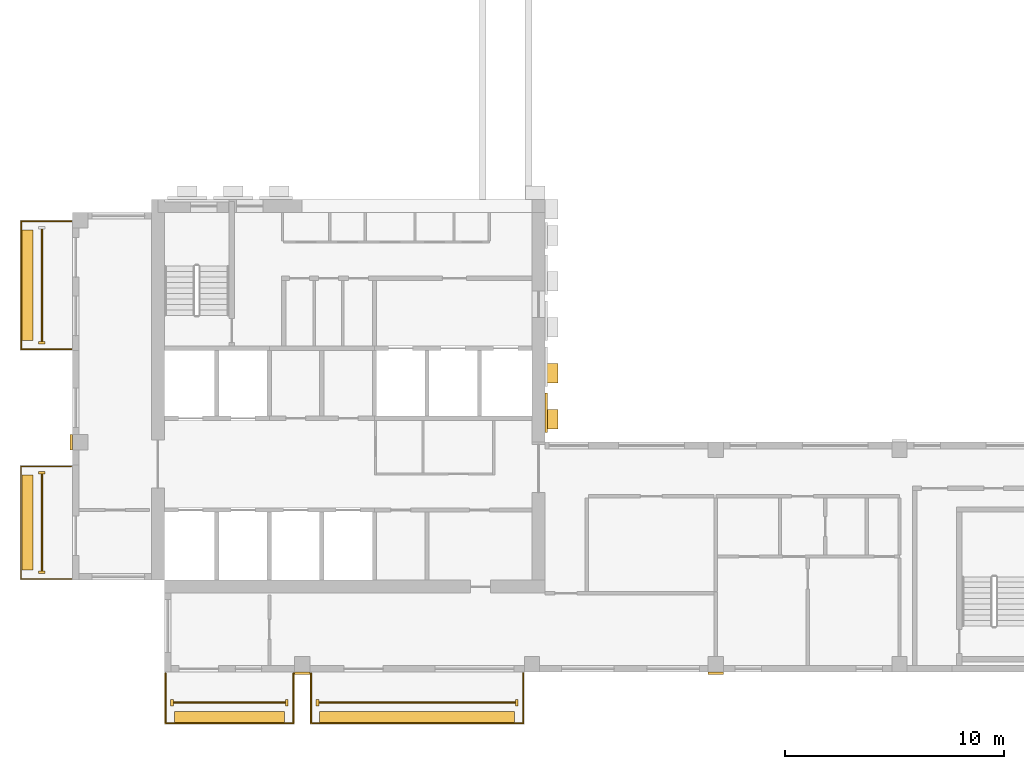
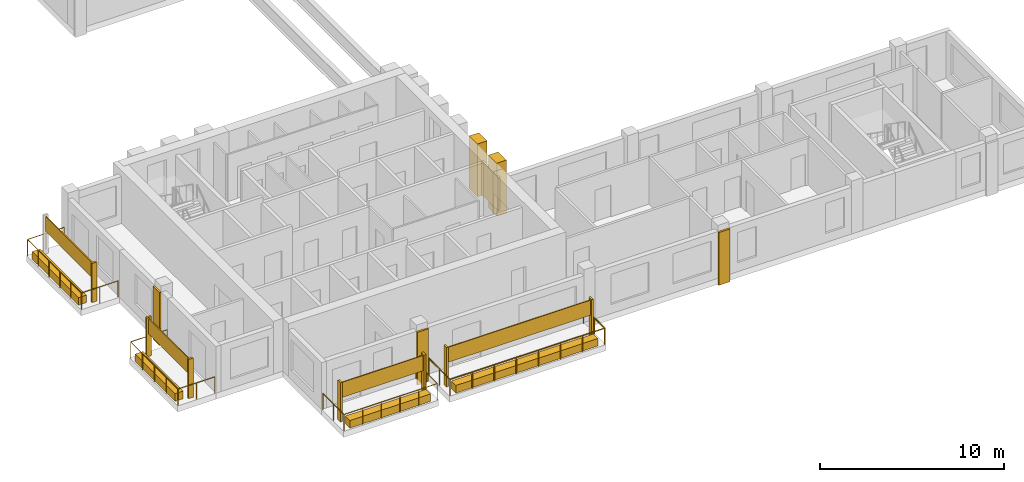
# One storey, part 6 of 9: 21 coverings, 4 railings.
"""IFC4 building model written with IfcOpenShell, lengths in metres."""

import ifcopenshell
import ifcopenshell.guid

model = None  # the IFC model being written
_history = None  # IfcOwnerHistory: only IFC2X3 demands one
_inside = {}  # id of a spatial element -> (the spatial element, [elements in it])
_under = {}  # id of a project, library or spatial element -> (it, [spatial elements below it])
_declared = {}  # id of a project -> (the project, [libraries it declares])
_typed = {}  # id of a type object -> (the type object, [elements of that type])
_made_of = {}  # id of a material, layer set ... -> (it, [elements and type objects made of it])


def new_model(schema):
    """Start an empty IFC model of exactly this schema.

    Asked for "IFC4X3", IfcOpenShell would pick the latest addendum, in which some entities
    have other attributes; the version numbers below select the first issue.
    IFC2X3 requires an IfcOwnerHistory on every rooted entity: one is made here for all.
    """
    global model, _history
    if schema == "IFC4X3":
        model = ifcopenshell.file(schema_version=(4, 3, 0, 0))
    else:
        model = ifcopenshell.file(schema=schema)
    _inside.clear()
    _under.clear()
    _declared.clear()
    _typed.clear()
    _made_of.clear()
    _history = None
    if model.schema == "IFC2X3":
        org = make("IfcOrganization", Name="unknown")
        user = make(
            "IfcPersonAndOrganization",
            ThePerson=make("IfcPerson", FamilyName="unknown"),
            TheOrganization=org,
        )
        app = make(
            "IfcApplication",
            ApplicationDeveloper=org,
            Version="unknown",
            ApplicationFullName="unknown",
            ApplicationIdentifier="unknown",
        )
        _history = make(
            "IfcOwnerHistory",
            OwningUser=user,
            OwningApplication=app,
            ChangeAction="ADDED",
            CreationDate=0,
        )
    return model


def make(cls, **values):
    """One entity of the class cls with the attributes given. An attribute that is None is left unset."""
    return model.create_entity(
        cls, **{name: value for name, value in values.items() if value is not None}
    )


def rooted(cls, **values):
    """An entity with a GlobalId (a new one), such as an element, a storey or a relation."""
    return make(cls, GlobalId=ifcopenshell.guid.new(), OwnerHistory=_history, **values)


def si_unit(unit_type, name, prefix=None):
    """IfcSIUnit, for example si_unit("LENGTHUNIT", "METRE", prefix="MILLI")."""
    return make("IfcSIUnit", UnitType=unit_type, Prefix=prefix, Name=name)


def assignment(units):
    """IfcUnitAssignment: the units of a project."""
    return None if units is None else make("IfcUnitAssignment", Units=units)


def point(xyz):
    """IfcCartesianPoint."""
    return None if xyz is None else make("IfcCartesianPoint", Coordinates=xyz)


def direction(xyz):
    """IfcDirection."""
    return None if xyz is None else make("IfcDirection", DirectionRatios=xyz)


def frame(location, z_axis=None, x_axis=None):
    """IfcAxis2Placement3D, a coordinate frame: its origin and axes. An axis left out is left unset."""
    return make(
        "IfcAxis2Placement3D",
        Location=point(location),
        Axis=direction(z_axis),
        RefDirection=direction(x_axis),
    )


def frame_2d(location, x_axis=None):
    """IfcAxis2Placement2D, a coordinate frame in the plane: its origin and x axis."""
    return make(
        "IfcAxis2Placement2D", Location=point(location), RefDirection=direction(x_axis)
    )


def origin():
    """The frame at (0, 0, 0) with its axes left unset."""
    return frame((0.0, 0.0, 0.0))


def origin_2d():
    """The frame at (0, 0) in the plane with its x axis left unset."""
    return frame_2d((0.0, 0.0))


def place(relative_to, where):
    """IfcLocalPlacement: puts the frame where relative to a parent placement (None: the world)."""
    return make(
        "IfcLocalPlacement", PlacementRelTo=relative_to, RelativePlacement=where
    )


def context(
    kind, dimensions, precision=None, world=None, true_north=None, identifier=None
):
    """IfcGeometricRepresentationContext, for example the 3D "Model" context."""
    return make(
        "IfcGeometricRepresentationContext",
        ContextIdentifier=identifier,
        ContextType=kind,
        CoordinateSpaceDimension=dimensions,
        Precision=precision,
        WorldCoordinateSystem=world,
        TrueNorth=true_north,
    )


def subcontext(parent, identifier, kind, view, scale=None):
    """IfcGeometricRepresentationSubContext, for example "Body" below "Model"."""
    return make(
        "IfcGeometricRepresentationSubContext",
        ContextIdentifier=identifier,
        ContextType=kind,
        ParentContext=parent,
        TargetScale=scale,
        TargetView=view,
    )


def project(units=None, contexts=None):
    """IfcProject with its units and contexts."""
    return rooted(
        "IfcProject",
        Name="project",
        RepresentationContexts=contexts,
        UnitsInContext=assignment(units),
    )


def spatial(cls, under=None, at=None, **own):
    """A site, building, storey or space (cls), placed at a placement, below another one or the project."""
    s = rooted(cls, ObjectPlacement=at, **own)
    if under is not None:
        _under.setdefault(under.id(), (under, []))[1].append(s)
    return s


def profile(cls, at=None, kind="AREA", **sizes):
    """A parametric profile (cls). Its sizes go by their IFC names, for example OverallWidth=200.0."""
    return make(cls, ProfileType=kind, Position=at, **sizes)


def rectangle(**sizes):
    """IfcRectangleProfileDef."""
    return profile("IfcRectangleProfileDef", **sizes)


def circle(**sizes):
    """IfcCircleProfileDef."""
    return profile("IfcCircleProfileDef", **sizes)


def extrude(swept, where, along, depth):
    """IfcExtrudedAreaSolid: the profile swept, set in the frame where, extruded along a direction by depth."""
    return make(
        "IfcExtrudedAreaSolid",
        SweptArea=swept,
        Position=where,
        ExtrudedDirection=direction(along),
        Depth=depth,
    )


def shape(context_of_items, identifier, shape_type, items):
    """IfcShapeRepresentation: the items that make up one representation, for example the "Body"."""
    return make(
        "IfcShapeRepresentation",
        ContextOfItems=context_of_items,
        RepresentationIdentifier=identifier,
        RepresentationType=shape_type,
        Items=items,
    )


def source(mapping_origin, context_of_items, identifier, shape_type, items):
    """IfcRepresentationMap: a shape defined once, which mapped items show again and again."""
    return make(
        "IfcRepresentationMap",
        MappingOrigin=mapping_origin,
        MappedRepresentation=shape(context_of_items, identifier, shape_type, items),
    )


def transform(
    local_origin,
    x_axis=None,
    y_axis=None,
    z_axis=None,
    scale=None,
    scale2=None,
    scale3=None,
    uniform=True,
):
    """IfcCartesianTransformationOperator3D, or its non-uniform kind. x_axis, y_axis, z_axis: its Axis1, 2, 3."""
    if uniform:
        return make(
            "IfcCartesianTransformationOperator3D",
            Axis1=direction(x_axis),
            Axis2=direction(y_axis),
            LocalOrigin=point(local_origin),
            Scale=scale,
            Axis3=direction(z_axis),
        )
    return make(
        "IfcCartesianTransformationOperator3DnonUniform",
        Axis1=direction(x_axis),
        Axis2=direction(y_axis),
        LocalOrigin=point(local_origin),
        Scale=scale,
        Axis3=direction(z_axis),
        Scale2=scale2,
        Scale3=scale3,
    )


def mapped(mapping_source, mapping_target):
    """IfcMappedItem: shows the shape of a source again, moved by a transform."""
    return make(
        "IfcMappedItem", MappingSource=mapping_source, MappingTarget=mapping_target
    )


def material(Name=None, Category=None):
    """IfcMaterial."""
    return make("IfcMaterial", Name=Name, Category=Category)


def made_of(thing, what):
    """Note that an element or type object is made of a material, layer set ...; save() writes the relation."""
    if what is not None:
        _made_of.setdefault(what.id(), (what, []))[1].append(thing)
    return thing


def type_object(cls, material=None, **own):
    """A type object (cls), such as IfcWallType, which elements share."""
    return made_of(rooted(cls, **own), material)


def element(
    cls,
    number,
    at=None,
    inside=None,
    cuts=None,
    type_object=None,
    material=None,
    context=None,
    identifier="Body",
    shape_type=None,
    held_by="IfcProductDefinitionShape",
    body=None,
    shapes=None,
    **own,
):
    """One element of the class cls, such as IfcWall. Its Tag is "e" and its number.

    at: its placement. inside: the storey or other place that contains it. cuts: it is an
    opening in that element (IfcRelVoidsElement). A single representation is given by context,
    identifier, shape_type and body (its items); several are given by shapes. held_by: the class
    of the entity that holds the representations. save() writes the other relations.
    """
    e = rooted(cls, Tag="e%d" % number, ObjectPlacement=at, **own)
    if body is not None:
        shapes = [shape(context, identifier, shape_type, body)]
    if shapes is not None:
        e.Representation = make(held_by, Representations=shapes)
    if inside is not None:
        _inside.setdefault(inside.id(), (inside, []))[1].append(e)
    if cuts is not None:
        rooted(
            "IfcRelVoidsElement", RelatingBuildingElement=cuts, RelatedOpeningElement=e
        )
    if type_object is not None:
        _typed.setdefault(type_object.id(), (type_object, []))[1].append(e)
    return made_of(e, material)


def aggregate(whole, parts):
    """IfcRelAggregates: a whole, such as a stair, and the parts it consists of."""
    return rooted("IfcRelAggregates", RelatingObject=whole, RelatedObjects=parts)


def save(model, path):
    """Write the relations noted so far, then the file.

    IfcRelAggregates (storeys below a building ...), IfcRelContainedInSpatialStructure (elements
    in a storey), IfcRelDefinesByType, IfcRelAssociatesMaterial and IfcRelDeclares: one each for
    every whole, place, type object, material and project.
    """
    for whole, parts in _under.values():
        aggregate(whole, parts)
    for where, things in _inside.values():
        rooted(
            "IfcRelContainedInSpatialStructure",
            RelatedElements=things,
            RelatingStructure=where,
        )
    for kind, things in _typed.values():
        rooted("IfcRelDefinesByType", RelatedObjects=things, RelatingType=kind)
    for what, things in _made_of.values():
        rooted("IfcRelAssociatesMaterial", RelatedObjects=things, RelatingMaterial=what)
    for by, libraries in _declared.values():
        rooted("IfcRelDeclares", RelatingContext=by, RelatedDefinitions=libraries)
    model.write(path)


model = new_model("IFC4")

# Units and contexts
model_context = context("Model", 3, precision=1e-05, world=origin(), true_north=direction((0.0, 1.0)))
body_context = subcontext(model_context, "Body", "Model", "MODEL_VIEW")
ifc_project = project(units=[si_unit("LENGTHUNIT", "METRE"), si_unit("AREAUNIT", "SQUARE_METRE"), si_unit("VOLUMEUNIT", "CUBIC_METRE"), si_unit("PLANEANGLEUNIT", "RADIAN"), si_unit("MASSUNIT", "GRAM", prefix="KILO")], contexts=[model_context])

# Site, building, storey
site_placement = place(None, origin())
site = spatial("IfcSite", under=ifc_project, at=site_placement, CompositionType="ELEMENT")
building_placement = place(site_placement, origin())
building = spatial("IfcBuilding", under=site, at=building_placement, Name="Aurelian Terraces", CompositionType="ELEMENT")
storey_placement = place(building_placement, frame((0.0, 0.0, 312.5)))
storey = spatial("IfcBuildingStorey", under=building, at=storey_placement, Name="L72", CompositionType="ELEMENT", Elevation=312.5)

# Railing
ifc_material_1 = material(Name="Anodised aluminium", Category="aluminium")
railing_type = type_object("IfcRailingType", Name="GUARD-1100", PredefinedType="GUARDRAIL", material=ifc_material_1)
railing_1_placement = place(storey_placement, frame((10.9, -0.05, 0.0)))
element("IfcRailing", 1, at=railing_1_placement, inside=storey, type_object=railing_type, Name="Balcony guard L72 F01.2", PredefinedType="GUARDRAIL", context=body_context, shape_type="SweptSolid", body=[
    extrude(circle(Radius=0.024, at=origin_2d()), frame((0.0, 0.0, 1.076), z_axis=(0.0, -1.0, 0.0), x_axis=(1.0, 0.0, 0.0)), (0.0, 0.0, 1.0), 2.3),
    extrude(circle(Radius=0.024, at=origin_2d()), frame((0.0, -2.3, 1.076), z_axis=(1.0, 0.0, 0.0), x_axis=(0.0, 1.0, 0.0)), (0.0, 0.0, 1.0), 9.7),
    extrude(circle(Radius=0.024, at=origin_2d()), frame((9.7, -2.3, 1.076), z_axis=(0.0, 1.0, 0.0), x_axis=(-1.0, 0.0, 0.0)), (0.0, 0.0, 1.0), 2.3),
    extrude(circle(Radius=0.021, at=origin_2d()), origin(), (0.0, 0.0, 1.0), 1.052),
    extrude(circle(Radius=0.021, at=origin_2d()), frame((0.0, -1.15, 0.0)), (0.0, 0.0, 1.0), 1.052),
    extrude(circle(Radius=0.021, at=origin_2d()), frame((0.0, -2.3, 0.0)), (0.0, 0.0, 1.0), 1.052),
    extrude(circle(Radius=0.021, at=origin_2d()), frame((1.3857, -2.3, 0.0)), (0.0, 0.0, 1.0), 1.052),
    extrude(circle(Radius=0.021, at=origin_2d()), frame((2.7714, -2.3, 0.0)), (0.0, 0.0, 1.0), 1.052),
    extrude(circle(Radius=0.021, at=origin_2d()), frame((4.1571, -2.3, 0.0)), (0.0, 0.0, 1.0), 1.052),
    extrude(circle(Radius=0.021, at=origin_2d()), frame((5.5429, -2.3, 0.0)), (0.0, 0.0, 1.0), 1.052),
    extrude(circle(Radius=0.021, at=origin_2d()), frame((6.9286, -2.3, 0.0)), (0.0, 0.0, 1.0), 1.052),
    extrude(circle(Radius=0.021, at=origin_2d()), frame((8.3143, -2.3, 0.0)), (0.0, 0.0, 1.0), 1.052),
    extrude(circle(Radius=0.021, at=origin_2d()), frame((9.7, -2.3, 0.0)), (0.0, 0.0, 1.0), 1.052),
    extrude(circle(Radius=0.021, at=origin_2d()), frame((9.7, -1.15, 0.0)), (0.0, 0.0, 1.0), 1.052),
    extrude(circle(Radius=0.021, at=origin_2d()), frame((9.7, 0.0, 0.0)), (0.0, 0.0, 1.0), 1.052),
])

# Coverings
ifc_material_2 = material(Name="Terracotta planter with planting soil", Category="masonry")
covering_type_1 = type_object("IfcCoveringType", Name="PLANTER-TROUGH", PredefinedType="USERDEFINED", material=ifc_material_2)
covering_1_placement = place(storey_placement, frame((15.75, -2.05, 0.0), z_axis=(0.0, 0.0, 1.0), x_axis=(1.0, 0.0, 0.0)))
element("IfcCovering", 2, at=covering_1_placement, inside=storey, type_object=covering_type_1, Name="PLANTER L72 L72-F01-02", ObjectType="PLANTER", PredefinedType="USERDEFINED", context=body_context, shape_type="SweptSolid", body=[
    extrude(rectangle(XDim=8.9, YDim=0.5, at=origin_2d()), origin(), (0.0, 0.0, 1.0), 0.5),
])
ifc_material_3 = material(Name="Terracotta rainscreen cladding", Category="masonry")
covering_type_2 = type_object("IfcCoveringType", Name="SCREEN-TC", PredefinedType="CLADDING", material=ifc_material_3)
covering_2_placement = place(storey_placement, frame((15.75, -1.4, 1.5), z_axis=(0.0, 0.0, 1.0), x_axis=(1.0, 0.0, 0.0)))
element("IfcCovering", 3, at=covering_2_placement, inside=storey, type_object=covering_type_2, Name="SCREEN L72 L72-F01-02", PredefinedType="CLADDING", context=body_context, shape_type="SweptSolid", body=[
    extrude(rectangle(XDim=8.98, YDim=0.06, at=origin_2d()), origin(), (0.0, 0.0, 1.0), 1.0),
])
ifc_material_4 = material(Name="Terracotta rainscreen cladding relief", Category="masonry")
covering_type_3 = type_object("IfcCoveringType", Name="FIN-TC", PredefinedType="CLADDING", material=ifc_material_4)
shared_shape_1 = source(origin(), body_context, "Body", "SweptSolid", [
    extrude(rectangle(XDim=0.3, YDim=0.12, at=origin_2d()), origin(), (0.0, 0.0, 1.0), 2.6),
])
for number, where, z_axis, x_axis, name in (
    (4, (-1.4, 15.05, 0.0), (0.0, 0.0, 1.0), (1.0, 0.0, 0.0), "FIN L72 L72-F12-18.2"),
    (5, (-1.4, 9.1, 0.0), (0.0, 0.0, 1.0), (1.0, 0.0, 0.0), "FIN L72 L72-F12-20.1"),
    (6, (-1.4, 4.55, 0.0), (0.0, 0.0, 1.0), (1.0, 0.0, 0.0), "FIN L72 L72-F12-20.2"),
):
    element("IfcCovering", number, at=place(storey_placement, frame(where, z_axis=z_axis, x_axis=x_axis)), inside=storey, type_object=covering_type_3, Name=name, PredefinedType="CLADDING", context=body_context, shape_type="MappedRepresentation", body=[
        mapped(shared_shape_1, transform((0.0, 0.0, 0.0), scale=1.0)),
    ])
shared_shape_2 = source(origin(), body_context, "Body", "SweptSolid", [
    extrude(rectangle(XDim=0.12, YDim=0.3, at=origin_2d()), origin(), (0.0, 0.0, 1.0), 2.6),
])
for number, where, z_axis, x_axis, name in (
    (7, (4.55, -1.4, 0.0), (0.0, 0.0, 1.0), (1.0, 0.0, 0.0), "FIN L72 L72-F01-01.1"),
    (8, (9.8, -1.4, 0.0), (0.0, 0.0, 1.0), (1.0, 0.0, 0.0), "FIN L72 L72-F01-01.2"),
    (9, (11.2, -1.4, 0.0), (0.0, 0.0, 1.0), (1.0, 0.0, 0.0), "FIN L72 L72-F01-02.1"),
    (10, (20.3, -1.4, 0.0), (0.0, 0.0, 1.0), (1.0, 0.0, 0.0), "FIN L72 L72-F01-02.2"),
):
    element("IfcCovering", number, at=place(storey_placement, frame(where, z_axis=z_axis, x_axis=x_axis)), inside=storey, type_object=covering_type_3, Name=name, PredefinedType="CLADDING", context=body_context, shape_type="MappedRepresentation", body=[
        mapped(shared_shape_2, transform((0.0, 0.0, 0.0), scale=1.0)),
    ])

# Railing
shared_shape_3 = source(origin(), body_context, "Body", "SweptSolid", [
    extrude(circle(Radius=0.024, at=origin_2d()), frame((0.0, 0.0, 1.076), z_axis=(-1.0, 0.0, 0.0), x_axis=(0.0, -1.0, 0.0)), (0.0, 0.0, 1.0), 2.3),
    extrude(circle(Radius=0.024, at=origin_2d()), frame((-2.3, 0.0, 1.076), z_axis=(0.0, -1.0, 0.0), x_axis=(1.0, 0.0, 0.0)), (0.0, 0.0, 1.0), 5.15),
    extrude(circle(Radius=0.024, at=origin_2d()), frame((-2.3, -5.15, 1.076), z_axis=(1.0, 0.0, 0.0), x_axis=(0.0, 1.0, 0.0)), (0.0, 0.0, 1.0), 2.3),
    extrude(circle(Radius=0.021, at=origin_2d()), origin(), (0.0, 0.0, 1.0), 1.052),
    extrude(circle(Radius=0.021, at=origin_2d()), frame((-1.15, 0.0, 0.0)), (0.0, 0.0, 1.0), 1.052),
    extrude(circle(Radius=0.021, at=origin_2d()), frame((-2.3, 0.0, 0.0)), (0.0, 0.0, 1.0), 1.052),
    extrude(circle(Radius=0.021, at=origin_2d()), frame((-2.3, -1.2875, 0.0)), (0.0, 0.0, 1.0), 1.052),
    extrude(circle(Radius=0.021, at=origin_2d()), frame((-2.3, -2.575, 0.0)), (0.0, 0.0, 1.0), 1.052),
    extrude(circle(Radius=0.021, at=origin_2d()), frame((-2.3, -3.8625, 0.0)), (0.0, 0.0, 1.0), 1.052),
    extrude(circle(Radius=0.021, at=origin_2d()), frame((-2.3, -5.15, 0.0)), (0.0, 0.0, 1.0), 1.052),
    extrude(circle(Radius=0.021, at=origin_2d()), frame((-1.15, -5.15, 0.0)), (0.0, 0.0, 1.0), 1.052),
    extrude(circle(Radius=0.021, at=origin_2d()), frame((0.0, -5.15, 0.0)), (0.0, 0.0, 1.0), 1.052),
])
railing_2_placement = place(storey_placement, frame((-0.05, 9.4, 0.0)))
element("IfcRailing", 11, at=railing_2_placement, inside=storey, type_object=railing_type, Name="Balcony guard L72 F12.20", PredefinedType="GUARDRAIL", context=body_context, shape_type="MappedRepresentation", body=[
    mapped(shared_shape_3, transform((0.0, 0.0, 0.0), scale=1.0)),
])

# Coverings
shared_shape_4 = source(origin(), body_context, "Body", "SweptSolid", [
    extrude(rectangle(XDim=0.5, YDim=4.35, at=origin_2d()), origin(), (0.0, 0.0, 1.0), 0.5),
])
covering_3_placement = place(storey_placement, frame((-2.05, 6.825, 0.0), z_axis=(0.0, 0.0, 1.0), x_axis=(1.0, 0.0, 0.0)))
element("IfcCovering", 12, at=covering_3_placement, inside=storey, type_object=covering_type_1, Name="PLANTER L72 L72-F12-20", ObjectType="PLANTER", PredefinedType="USERDEFINED", context=body_context, shape_type="MappedRepresentation", body=[
    mapped(shared_shape_4, transform((0.0, 0.0, 0.0), scale=1.0)),
])
shared_shape_5 = source(origin(), body_context, "Body", "SweptSolid", [
    extrude(rectangle(XDim=0.06, YDim=4.43, at=origin_2d()), origin(), (0.0, 0.0, 1.0), 1.0),
])
covering_4_placement = place(storey_placement, frame((-1.4, 6.825, 1.5), z_axis=(0.0, 0.0, 1.0), x_axis=(1.0, 0.0, 0.0)))
element("IfcCovering", 13, at=covering_4_placement, inside=storey, type_object=covering_type_2, Name="SCREEN L72 L72-F12-20", PredefinedType="CLADDING", context=body_context, shape_type="MappedRepresentation", body=[
    mapped(shared_shape_5, transform((0.0, 0.0, 0.0), scale=1.0)),
])
ifc_material_5 = material(Name="Terracotta rainscreen cladding louvre blades", Category="masonry")
covering_type_4 = type_object("IfcCoveringType", Name="LOUVRE-TC", PredefinedType="CLADDING", material=ifc_material_5)
shared_shape_6 = source(origin(), body_context, "Body", "SweptSolid", [
    extrude(rectangle(XDim=0.12, YDim=1.8, at=origin_2d()), origin(), (0.0, 0.0, 1.0), 2.2),
])
covering_5_placement = place(storey_placement, frame((21.66, 11.85, 0.45), z_axis=(0.0, 0.0, 1.0), x_axis=(1.0, 0.0, 0.0)))
element("IfcCovering", 14, at=covering_5_placement, inside=storey, type_object=covering_type_4, Name="LOUVRE L72 core face E.1", PredefinedType="CLADDING", context=body_context, shape_type="MappedRepresentation", body=[
    mapped(shared_shape_6, transform((0.0, 0.0, 0.0), scale=1.0)),
])
covering_type_5 = type_object("IfcCoveringType", Name="BAGUETTE-TC", PredefinedType="CLADDING", material=ifc_material_4)
shared_shape_7 = source(origin(), body_context, "Body", "SweptSolid", [
    extrude(rectangle(XDim=0.7, YDim=0.12, at=origin_2d()), origin(), (0.0, 0.0, 1.0), 3.5),
])
for number, where, z_axis, x_axis, name in (
    (15, (10.5, -0.06, -0.4), (0.0, 0.0, 1.0), (1.0, 0.0, 0.0), "BAGUETTE pier L72 1"),
    (16, (29.4, -0.06, -0.4), (0.0, 0.0, 1.0), (1.0, 0.0, 0.0), "BAGUETTE pier L72 2"),
):
    element("IfcCovering", number, at=place(storey_placement, frame(where, z_axis=z_axis, x_axis=x_axis)), inside=storey, type_object=covering_type_5, Name=name, PredefinedType="CLADDING", context=body_context, shape_type="MappedRepresentation", body=[
        mapped(shared_shape_7, transform((0.0, 0.0, 0.0), scale=1.0)),
    ])
shared_shape_8 = source(origin(), body_context, "Body", "SweptSolid", [
    extrude(rectangle(XDim=0.12, YDim=0.7, at=origin_2d()), origin(), (0.0, 0.0, 1.0), 3.5),
])
covering_6_placement = place(storey_placement, frame((-0.06, 10.5, -0.4), z_axis=(0.0, 0.0, 1.0), x_axis=(1.0, 0.0, 0.0)))
element("IfcCovering", 17, at=covering_6_placement, inside=storey, type_object=covering_type_5, Name="BAGUETTE pier L72 5", PredefinedType="CLADDING", context=body_context, shape_type="MappedRepresentation", body=[
    mapped(shared_shape_8, transform((0.0, 0.0, 0.0), scale=1.0)),
])

# Railing
shared_shape_9 = source(origin(), body_context, "Body", "SweptSolid", [
    extrude(circle(Radius=0.024, at=origin_2d()), frame((0.0, 0.0, 1.076), z_axis=(0.0, -1.0, 0.0), x_axis=(1.0, 0.0, 0.0)), (0.0, 0.0, 1.0), 2.3),
    extrude(circle(Radius=0.024, at=origin_2d()), frame((0.0, -2.3, 1.076), z_axis=(1.0, 0.0, 0.0), x_axis=(0.0, 1.0, 0.0)), (0.0, 0.0, 1.0), 5.85),
    extrude(circle(Radius=0.024, at=origin_2d()), frame((5.85, -2.3, 1.076), z_axis=(0.0, 1.0, 0.0), x_axis=(-1.0, 0.0, 0.0)), (0.0, 0.0, 1.0), 2.3),
    extrude(circle(Radius=0.021, at=origin_2d()), origin(), (0.0, 0.0, 1.0), 1.052),
    extrude(circle(Radius=0.021, at=origin_2d()), frame((0.0, -1.15, 0.0)), (0.0, 0.0, 1.0), 1.052),
    extrude(circle(Radius=0.021, at=origin_2d()), frame((0.0, -2.3, 0.0)), (0.0, 0.0, 1.0), 1.052),
    extrude(circle(Radius=0.021, at=origin_2d()), frame((1.17, -2.3, 0.0)), (0.0, 0.0, 1.0), 1.052),
    extrude(circle(Radius=0.021, at=origin_2d()), frame((2.34, -2.3, 0.0)), (0.0, 0.0, 1.0), 1.052),
    extrude(circle(Radius=0.021, at=origin_2d()), frame((3.51, -2.3, 0.0)), (0.0, 0.0, 1.0), 1.052),
    extrude(circle(Radius=0.021, at=origin_2d()), frame((4.68, -2.3, 0.0)), (0.0, 0.0, 1.0), 1.052),
    extrude(circle(Radius=0.021, at=origin_2d()), frame((5.85, -2.3, 0.0)), (0.0, 0.0, 1.0), 1.052),
    extrude(circle(Radius=0.021, at=origin_2d()), frame((5.85, -1.15, 0.0)), (0.0, 0.0, 1.0), 1.052),
    extrude(circle(Radius=0.021, at=origin_2d()), frame((5.85, 0.0, 0.0)), (0.0, 0.0, 1.0), 1.052),
])
railing_3_placement = place(storey_placement, frame((4.25, -0.05, 0.0)))
element("IfcRailing", 18, at=railing_3_placement, inside=storey, type_object=railing_type, Name="Balcony guard L72 F01.1", PredefinedType="GUARDRAIL", context=body_context, shape_type="MappedRepresentation", body=[
    mapped(shared_shape_9, transform((0.0, 0.0, 0.0), scale=1.0)),
])

# Coverings
shared_shape_10 = source(origin(), body_context, "Body", "SweptSolid", [
    extrude(rectangle(XDim=5.05, YDim=0.5, at=origin_2d()), origin(), (0.0, 0.0, 1.0), 0.5),
])
covering_7_placement = place(storey_placement, frame((7.175, -2.05, 0.0), z_axis=(0.0, 0.0, 1.0), x_axis=(1.0, 0.0, 0.0)))
element("IfcCovering", 19, at=covering_7_placement, inside=storey, type_object=covering_type_1, Name="PLANTER L72 L72-F01-01", ObjectType="PLANTER", PredefinedType="USERDEFINED", context=body_context, shape_type="MappedRepresentation", body=[
    mapped(shared_shape_10, transform((0.0, 0.0, 0.0), scale=1.0)),
])
shared_shape_11 = source(origin(), body_context, "Body", "SweptSolid", [
    extrude(rectangle(XDim=5.13, YDim=0.06, at=origin_2d()), origin(), (0.0, 0.0, 1.0), 1.0),
])
covering_8_placement = place(storey_placement, frame((7.175, -1.4, 1.5), z_axis=(0.0, 0.0, 1.0), x_axis=(1.0, 0.0, 0.0)))
element("IfcCovering", 20, at=covering_8_placement, inside=storey, type_object=covering_type_2, Name="SCREEN L72 L72-F01-01", PredefinedType="CLADDING", context=body_context, shape_type="MappedRepresentation", body=[
    mapped(shared_shape_11, transform((0.0, 0.0, 0.0), scale=1.0)),
])

# Railing
shared_shape_12 = source(origin(), body_context, "Body", "SweptSolid", [
    extrude(circle(Radius=0.024, at=origin_2d()), frame((0.0, 0.0, 1.076), z_axis=(-1.0, 0.0, 0.0), x_axis=(0.0, -1.0, 0.0)), (0.0, 0.0, 1.0), 2.3),
    extrude(circle(Radius=0.024, at=origin_2d()), frame((-2.3, 0.0, 1.076), z_axis=(0.0, -1.0, 0.0), x_axis=(1.0, 0.0, 0.0)), (0.0, 0.0, 1.0), 5.85),
    extrude(circle(Radius=0.024, at=origin_2d()), frame((-2.3, -5.85, 1.076), z_axis=(1.0, 0.0, 0.0), x_axis=(0.0, 1.0, 0.0)), (0.0, 0.0, 1.0), 2.3),
    extrude(circle(Radius=0.021, at=origin_2d()), origin(), (0.0, 0.0, 1.0), 1.052),
    extrude(circle(Radius=0.021, at=origin_2d()), frame((-1.15, 0.0, 0.0)), (0.0, 0.0, 1.0), 1.052),
    extrude(circle(Radius=0.021, at=origin_2d()), frame((-2.3, 0.0, 0.0)), (0.0, 0.0, 1.0), 1.052),
    extrude(circle(Radius=0.021, at=origin_2d()), frame((-2.3, -1.17, 0.0)), (0.0, 0.0, 1.0), 1.052),
    extrude(circle(Radius=0.021, at=origin_2d()), frame((-2.3, -2.34, 0.0)), (0.0, 0.0, 1.0), 1.052),
    extrude(circle(Radius=0.021, at=origin_2d()), frame((-2.3, -3.51, 0.0)), (0.0, 0.0, 1.0), 1.052),
    extrude(circle(Radius=0.021, at=origin_2d()), frame((-2.3, -4.68, 0.0)), (0.0, 0.0, 1.0), 1.052),
    extrude(circle(Radius=0.021, at=origin_2d()), frame((-2.3, -5.85, 0.0)), (0.0, 0.0, 1.0), 1.052),
    extrude(circle(Radius=0.021, at=origin_2d()), frame((-1.15, -5.85, 0.0)), (0.0, 0.0, 1.0), 1.052),
    extrude(circle(Radius=0.021, at=origin_2d()), frame((0.0, -5.85, 0.0)), (0.0, 0.0, 1.0), 1.052),
])
railing_4_placement = place(storey_placement, frame((-0.05, 20.6, 0.0)))
element("IfcRailing", 21, at=railing_4_placement, inside=storey, type_object=railing_type, Name="Balcony guard L72 F12.18", PredefinedType="GUARDRAIL", context=body_context, shape_type="MappedRepresentation", body=[
    mapped(shared_shape_12, transform((0.0, 0.0, 0.0), scale=1.0)),
])

# Coverings
shared_shape_13 = source(origin(), body_context, "Body", "SweptSolid", [
    extrude(rectangle(XDim=0.5, YDim=5.05, at=origin_2d()), origin(), (0.0, 0.0, 1.0), 0.5),
])
covering_9_placement = place(storey_placement, frame((-2.05, 17.675, 0.0), z_axis=(0.0, 0.0, 1.0), x_axis=(1.0, 0.0, 0.0)))
element("IfcCovering", 22, at=covering_9_placement, inside=storey, type_object=covering_type_1, Name="PLANTER L72 L72-F12-18", ObjectType="PLANTER", PredefinedType="USERDEFINED", context=body_context, shape_type="MappedRepresentation", body=[
    mapped(shared_shape_13, transform((0.0, 0.0, 0.0), scale=1.0)),
])
shared_shape_14 = source(origin(), body_context, "Body", "SweptSolid", [
    extrude(rectangle(XDim=0.06, YDim=5.13, at=origin_2d()), origin(), (0.0, 0.0, 1.0), 1.0),
])
covering_10_placement = place(storey_placement, frame((-1.4, 17.675, 1.5), z_axis=(0.0, 0.0, 1.0), x_axis=(1.0, 0.0, 0.0)))
element("IfcCovering", 23, at=covering_10_placement, inside=storey, type_object=covering_type_2, Name="SCREEN L72 L72-F12-18", PredefinedType="CLADDING", context=body_context, shape_type="MappedRepresentation", body=[
    mapped(shared_shape_14, transform((0.0, 0.0, 0.0), scale=1.0)),
])
covering_type_6 = type_object("IfcCoveringType", Name="Core spine pier 900x600", PredefinedType="CLADDING", material=ifc_material_4)
shared_shape_15 = source(origin(), body_context, "Body", "SweptSolid", [
    extrude(rectangle(XDim=0.6, YDim=0.9, at=origin_2d()), origin(), (0.0, 0.0, 1.0), 3.5),
])
for number, where, z_axis, x_axis, name in (
    (24, (21.9, 11.55, 0.0), (0.0, 0.0, 1.0), (1.0, 0.0, 0.0), "Spine pier L72 E1"),
    (25, (21.9, 13.65, 0.0), (0.0, 0.0, 1.0), (1.0, 0.0, 0.0), "Spine pier L72 E2"),
):
    element("IfcCovering", number, at=place(storey_placement, frame(where, z_axis=z_axis, x_axis=x_axis)), inside=storey, type_object=covering_type_6, Name=name, PredefinedType="CLADDING", context=body_context, shape_type="MappedRepresentation", body=[
        mapped(shared_shape_15, transform((0.0, 0.0, 0.0), scale=1.0)),
    ])

save(model, "model.ifc")
